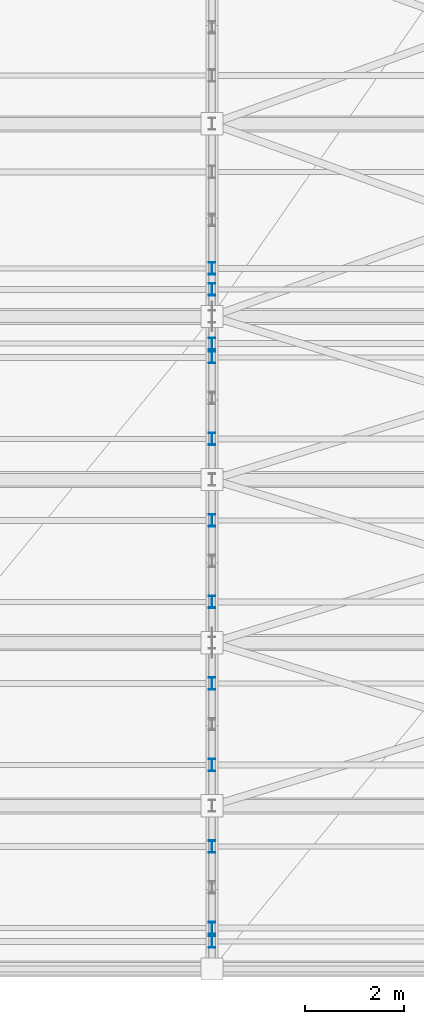
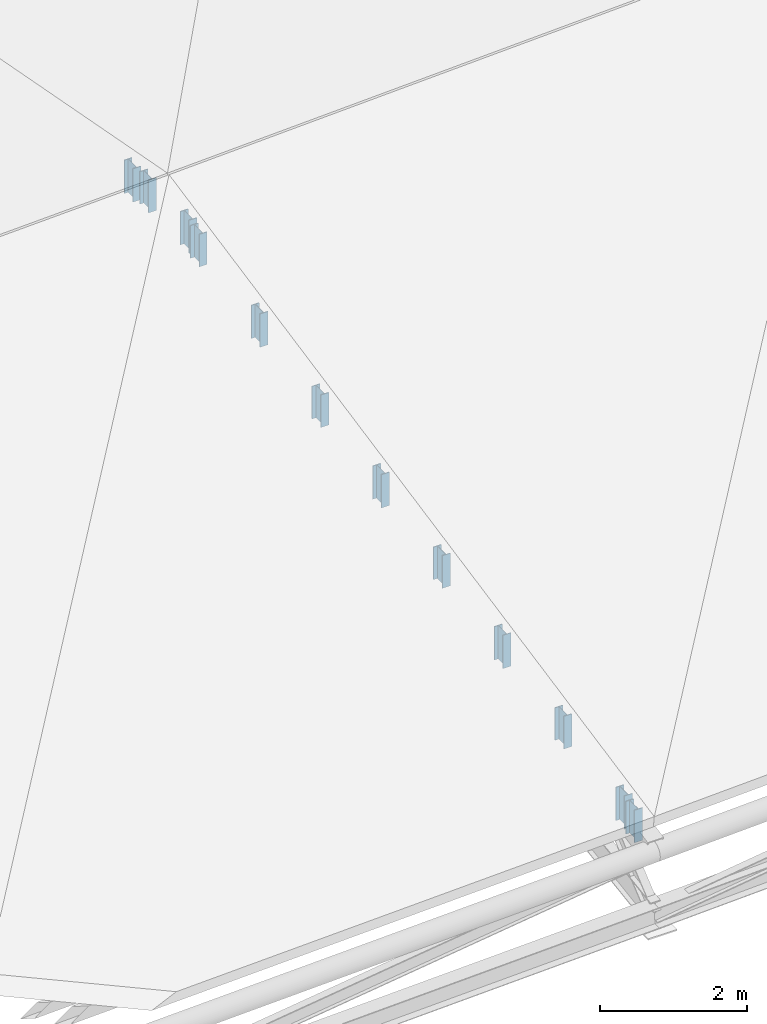
# One storey, part 49 of 89: 12 members.
"""IFC4 building model written with IfcOpenShell, lengths in metres."""

import ifcopenshell
import ifcopenshell.guid

model = None  # the IFC model being written
_history = None  # IfcOwnerHistory: only IFC2X3 demands one
_inside = {}  # id of a spatial element -> (the spatial element, [elements in it])
_under = {}  # id of a project, library or spatial element -> (it, [spatial elements below it])
_declared = {}  # id of a project -> (the project, [libraries it declares])
_typed = {}  # id of a type object -> (the type object, [elements of that type])
_made_of = {}  # id of a material, layer set ... -> (it, [elements and type objects made of it])


def new_model(schema):
    """Start an empty IFC model of exactly this schema.

    Asked for "IFC4X3", IfcOpenShell would pick the latest addendum, in which some entities
    have other attributes; the version numbers below select the first issue.
    IFC2X3 requires an IfcOwnerHistory on every rooted entity: one is made here for all.
    """
    global model, _history
    if schema == "IFC4X3":
        model = ifcopenshell.file(schema_version=(4, 3, 0, 0))
    else:
        model = ifcopenshell.file(schema=schema)
    _inside.clear()
    _under.clear()
    _declared.clear()
    _typed.clear()
    _made_of.clear()
    _history = None
    if model.schema == "IFC2X3":
        org = make("IfcOrganization", Name="unknown")
        user = make(
            "IfcPersonAndOrganization",
            ThePerson=make("IfcPerson", FamilyName="unknown"),
            TheOrganization=org,
        )
        app = make(
            "IfcApplication",
            ApplicationDeveloper=org,
            Version="unknown",
            ApplicationFullName="unknown",
            ApplicationIdentifier="unknown",
        )
        _history = make(
            "IfcOwnerHistory",
            OwningUser=user,
            OwningApplication=app,
            ChangeAction="ADDED",
            CreationDate=0,
        )
    return model


def make(cls, **values):
    """One entity of the class cls with the attributes given. An attribute that is None is left unset."""
    return model.create_entity(
        cls, **{name: value for name, value in values.items() if value is not None}
    )


def rooted(cls, **values):
    """An entity with a GlobalId (a new one), such as an element, a storey or a relation."""
    return make(cls, GlobalId=ifcopenshell.guid.new(), OwnerHistory=_history, **values)


def si_unit(unit_type, name, prefix=None):
    """IfcSIUnit, for example si_unit("LENGTHUNIT", "METRE", prefix="MILLI")."""
    return make("IfcSIUnit", UnitType=unit_type, Prefix=prefix, Name=name)


def assignment(units):
    """IfcUnitAssignment: the units of a project."""
    return None if units is None else make("IfcUnitAssignment", Units=units)


def point(xyz):
    """IfcCartesianPoint."""
    return None if xyz is None else make("IfcCartesianPoint", Coordinates=xyz)


def direction(xyz):
    """IfcDirection."""
    return None if xyz is None else make("IfcDirection", DirectionRatios=xyz)


def frame(location, z_axis=None, x_axis=None):
    """IfcAxis2Placement3D, a coordinate frame: its origin and axes. An axis left out is left unset."""
    return make(
        "IfcAxis2Placement3D",
        Location=point(location),
        Axis=direction(z_axis),
        RefDirection=direction(x_axis),
    )


def frame_2d(location, x_axis=None):
    """IfcAxis2Placement2D, a coordinate frame in the plane: its origin and x axis."""
    return make(
        "IfcAxis2Placement2D", Location=point(location), RefDirection=direction(x_axis)
    )


def origin():
    """The frame at (0, 0, 0) with its axes left unset."""
    return frame((0.0, 0.0, 0.0))


def origin_2d():
    """The frame at (0, 0) in the plane with its x axis left unset."""
    return frame_2d((0.0, 0.0))


def place(relative_to, where):
    """IfcLocalPlacement: puts the frame where relative to a parent placement (None: the world)."""
    return make(
        "IfcLocalPlacement", PlacementRelTo=relative_to, RelativePlacement=where
    )


def context(
    kind, dimensions, precision=None, world=None, true_north=None, identifier=None
):
    """IfcGeometricRepresentationContext, for example the 3D "Model" context."""
    return make(
        "IfcGeometricRepresentationContext",
        ContextIdentifier=identifier,
        ContextType=kind,
        CoordinateSpaceDimension=dimensions,
        Precision=precision,
        WorldCoordinateSystem=world,
        TrueNorth=true_north,
    )


def subcontext(parent, identifier, kind, view, scale=None):
    """IfcGeometricRepresentationSubContext, for example "Body" below "Model"."""
    return make(
        "IfcGeometricRepresentationSubContext",
        ContextIdentifier=identifier,
        ContextType=kind,
        ParentContext=parent,
        TargetScale=scale,
        TargetView=view,
    )


def project(units=None, contexts=None):
    """IfcProject with its units and contexts."""
    return rooted(
        "IfcProject",
        Name="project",
        RepresentationContexts=contexts,
        UnitsInContext=assignment(units),
    )


def spatial(cls, under=None, at=None, **own):
    """A site, building, storey or space (cls), placed at a placement, below another one or the project."""
    s = rooted(cls, ObjectPlacement=at, **own)
    if under is not None:
        _under.setdefault(under.id(), (under, []))[1].append(s)
    return s


def profile(cls, at=None, kind="AREA", **sizes):
    """A parametric profile (cls). Its sizes go by their IFC names, for example OverallWidth=200.0."""
    return make(cls, ProfileType=kind, Position=at, **sizes)


def i_section(**sizes):
    """IfcIShapeProfileDef."""
    return profile("IfcIShapeProfileDef", **sizes)


def extrude(swept, where, along, depth):
    """IfcExtrudedAreaSolid: the profile swept, set in the frame where, extruded along a direction by depth."""
    return make(
        "IfcExtrudedAreaSolid",
        SweptArea=swept,
        Position=where,
        ExtrudedDirection=direction(along),
        Depth=depth,
    )


def shape(context_of_items, identifier, shape_type, items):
    """IfcShapeRepresentation: the items that make up one representation, for example the "Body"."""
    return make(
        "IfcShapeRepresentation",
        ContextOfItems=context_of_items,
        RepresentationIdentifier=identifier,
        RepresentationType=shape_type,
        Items=items,
    )


def material(Name=None, Category=None):
    """IfcMaterial."""
    return make("IfcMaterial", Name=Name, Category=Category)


def material_profile(
    of_material, cross_section, Name=None, Category=None, Priority=None
):
    """IfcMaterialProfile: a cross section and its material."""
    return make(
        "IfcMaterialProfile",
        Name=Name,
        Material=of_material,
        Profile=cross_section,
        Priority=Priority,
        Category=Category,
    )


def profile_set(profiles, Name=None, composite=None):
    """IfcMaterialProfileSet."""
    return make(
        "IfcMaterialProfileSet",
        Name=Name,
        MaterialProfiles=profiles,
        CompositeProfile=composite,
    )


def made_of(thing, what):
    """Note that an element or type object is made of a material, layer set ...; save() writes the relation."""
    if what is not None:
        _made_of.setdefault(what.id(), (what, []))[1].append(thing)
    return thing


def type_object(cls, material=None, **own):
    """A type object (cls), such as IfcWallType, which elements share."""
    return made_of(rooted(cls, **own), material)


def element(
    cls,
    number,
    at=None,
    inside=None,
    cuts=None,
    type_object=None,
    material=None,
    context=None,
    identifier="Body",
    shape_type=None,
    held_by="IfcProductDefinitionShape",
    body=None,
    shapes=None,
    **own,
):
    """One element of the class cls, such as IfcWall. Its Tag is "e" and its number.

    at: its placement. inside: the storey or other place that contains it. cuts: it is an
    opening in that element (IfcRelVoidsElement). A single representation is given by context,
    identifier, shape_type and body (its items); several are given by shapes. held_by: the class
    of the entity that holds the representations. save() writes the other relations.
    """
    e = rooted(cls, Tag="e%d" % number, ObjectPlacement=at, **own)
    if body is not None:
        shapes = [shape(context, identifier, shape_type, body)]
    if shapes is not None:
        e.Representation = make(held_by, Representations=shapes)
    if inside is not None:
        _inside.setdefault(inside.id(), (inside, []))[1].append(e)
    if cuts is not None:
        rooted(
            "IfcRelVoidsElement", RelatingBuildingElement=cuts, RelatedOpeningElement=e
        )
    if type_object is not None:
        _typed.setdefault(type_object.id(), (type_object, []))[1].append(e)
    return made_of(e, material)


def aggregate(whole, parts):
    """IfcRelAggregates: a whole, such as a stair, and the parts it consists of."""
    return rooted("IfcRelAggregates", RelatingObject=whole, RelatedObjects=parts)


def save(model, path):
    """Write the relations noted so far, then the file.

    IfcRelAggregates (storeys below a building ...), IfcRelContainedInSpatialStructure (elements
    in a storey), IfcRelDefinesByType, IfcRelAssociatesMaterial and IfcRelDeclares: one each for
    every whole, place, type object, material and project.
    """
    for whole, parts in _under.values():
        aggregate(whole, parts)
    for where, things in _inside.values():
        rooted(
            "IfcRelContainedInSpatialStructure",
            RelatedElements=things,
            RelatingStructure=where,
        )
    for kind, things in _typed.values():
        rooted("IfcRelDefinesByType", RelatedObjects=things, RelatingType=kind)
    for what, things in _made_of.values():
        rooted("IfcRelAssociatesMaterial", RelatedObjects=things, RelatingMaterial=what)
    for by, libraries in _declared.values():
        rooted("IfcRelDeclares", RelatingContext=by, RelatedDefinitions=libraries)
    model.write(path)


model = new_model("IFC4")

# Units and contexts
model_context = context("Model", 3, precision=1e-05, world=origin(), true_north=direction((0.0, 1.0)))
body_context = subcontext(model_context, "Body", "Model", "MODEL_VIEW")
ifc_project = project(units=[si_unit("LENGTHUNIT", "METRE"), si_unit("AREAUNIT", "SQUARE_METRE"), si_unit("VOLUMEUNIT", "CUBIC_METRE"), si_unit("PLANEANGLEUNIT", "RADIAN"), si_unit("MASSUNIT", "GRAM", prefix="KILO")], contexts=[model_context])

# Site, building, storey
site_placement = place(None, origin())
site = spatial("IfcSite", under=ifc_project, at=site_placement, CompositionType="ELEMENT")
building_placement = place(site_placement, origin())
building = spatial("IfcBuilding", under=site, at=building_placement, Name="Suirenkawa Promenade Aquatics Centre", CompositionType="ELEMENT")
storey_placement = place(building_placement, frame((0.0, 0.0, 9.60009765625)))
storey = spatial("IfcBuildingStorey", under=building, at=storey_placement, Name="L02", CompositionType="ELEMENT", Elevation=9.60009765625)

# Members
ifc_material = material(Name="Steel IS 2062 E350 (Grade 350)", Category="steel")
ifc_material_profile = material_profile(ifc_material, i_section(OverallWidth=0.125, OverallDepth=0.25, WebThickness=0.007080078125, FlangeThickness=0.012939453125, at=origin_2d()), Name="ISMB 250", Category="steel")
ifc_profile_set = profile_set([ifc_material_profile], Name="Steel IS 2062 E350 (Grade 350)")
member_type = type_object("IfcMemberType", Name="MT-WEB-CHS168", PredefinedType="BRACE", material=ifc_profile_set)
member_1_placement = place(storey_placement, frame((122.39990234375, 0.550048828125, -1.22021484375), z_axis=(0.0, 0.0, 1.0), x_axis=(1.0, 0.0, 0.0)))
element("IfcMember", 1, at=member_1_placement, inside=storey, type_object=member_type, Name="ROOF TRUSS Purlin cleat post TD-03 MB-2746", PredefinedType="BRACE", context=body_context, shape_type="SweptSolid", body=[
    extrude(i_section(OverallWidth=0.125, OverallDepth=0.25, WebThickness=0.007080078125, FlangeThickness=0.012939453125, at=origin_2d()), origin(), (0.0, 0.0, 1.0), 0.5400390625),
])
member_2_placement = place(storey_placement, frame((122.39990234375, 0.824951171875, -1.1640625), z_axis=(0.0, 0.0, 1.0), x_axis=(1.0, 0.0, 0.0)))
element("IfcMember", 2, at=member_2_placement, inside=storey, type_object=member_type, Name="ROOF TRUSS Purlin cleat post TD-03 MB-2748", PredefinedType="BRACE", context=body_context, shape_type="SweptSolid", body=[
    extrude(i_section(OverallWidth=0.125, OverallDepth=0.25, WebThickness=0.007080078125, FlangeThickness=0.012939453125, at=origin_2d()), origin(), (0.0, 0.0, 1.0), 0.552001953125),
])
member_3_placement = place(storey_placement, frame((122.39990234375, 2.47509765625, -0.8330078125), z_axis=(0.0, 0.0, 1.0), x_axis=(1.0, 0.0, 0.0)))
element("IfcMember", 3, at=member_3_placement, inside=storey, type_object=member_type, Name="ROOF TRUSS Purlin cleat post TD-03 MB-2750", PredefinedType="BRACE", context=body_context, shape_type="SweptSolid", body=[
    extrude(i_section(OverallWidth=0.125, OverallDepth=0.25, WebThickness=0.007080078125, FlangeThickness=0.012939453125, at=origin_2d()), origin(), (0.0, 0.0, 1.0), 0.539794921875),
])
member_4_placement = place(storey_placement, frame((122.39990234375, 4.125, -0.502197265625), z_axis=(0.0, 0.0, 1.0), x_axis=(1.0, 0.0, 0.0)))
element("IfcMember", 4, at=member_4_placement, inside=storey, type_object=member_type, Name="ROOF TRUSS Purlin cleat post TD-03 MB-2752", PredefinedType="BRACE", context=body_context, shape_type="SweptSolid", body=[
    extrude(i_section(OverallWidth=0.125, OverallDepth=0.25, WebThickness=0.007080078125, FlangeThickness=0.012939453125, at=origin_2d()), origin(), (0.0, 0.0, 1.0), 0.552001953125),
])
member_5_placement = place(storey_placement, frame((122.39990234375, 5.77490234375, -0.171142578125), z_axis=(0.0, 0.0, 1.0), x_axis=(1.0, 0.0, 0.0)))
element("IfcMember", 5, at=member_5_placement, inside=storey, type_object=member_type, Name="ROOF TRUSS Purlin cleat post TD-03 MB-2754", PredefinedType="BRACE", context=body_context, shape_type="SweptSolid", body=[
    extrude(i_section(OverallWidth=0.125, OverallDepth=0.25, WebThickness=0.007080078125, FlangeThickness=0.012939453125, at=origin_2d()), origin(), (0.0, 0.0, 1.0), 0.5400390625),
])
member_6_placement = place(storey_placement, frame((122.39990234375, 7.425048828125, 0.160888671875), z_axis=(0.0, 0.0, 1.0), x_axis=(1.0, 0.0, 0.0)))
element("IfcMember", 6, at=member_6_placement, inside=storey, type_object=member_type, Name="ROOF TRUSS Purlin cleat post TD-03 MB-2756", PredefinedType="BRACE", context=body_context, shape_type="SweptSolid", body=[
    extrude(i_section(OverallWidth=0.125, OverallDepth=0.25, WebThickness=0.007080078125, FlangeThickness=0.012939453125, at=origin_2d()), origin(), (0.0, 0.0, 1.0), 0.552001953125),
])
member_7_placement = place(storey_placement, frame((122.39990234375, 9.074951171875, 0.491943359375), z_axis=(0.0, 0.0, 1.0), x_axis=(1.0, 0.0, 0.0)))
element("IfcMember", 7, at=member_7_placement, inside=storey, type_object=member_type, Name="ROOF TRUSS Purlin cleat post TD-03 MB-2758", PredefinedType="BRACE", context=body_context, shape_type="SweptSolid", body=[
    extrude(i_section(OverallWidth=0.125, OverallDepth=0.25, WebThickness=0.007080078125, FlangeThickness=0.012939453125, at=origin_2d()), origin(), (0.0, 0.0, 1.0), 0.5400390625),
])
member_8_placement = place(storey_placement, frame((122.39990234375, 10.72509765625, 0.822998046875), z_axis=(0.0, 0.0, 1.0), x_axis=(1.0, 0.0, 0.0)))
element("IfcMember", 8, at=member_8_placement, inside=storey, type_object=member_type, Name="ROOF TRUSS Purlin cleat post TD-03 MB-2760", PredefinedType="BRACE", context=body_context, shape_type="SweptSolid", body=[
    extrude(i_section(OverallWidth=0.125, OverallDepth=0.25, WebThickness=0.007080078125, FlangeThickness=0.012939453125, at=origin_2d()), origin(), (0.0, 0.0, 1.0), 0.552001953125),
])
member_9_placement = place(storey_placement, frame((122.39990234375, 12.375, 1.15380859375), z_axis=(0.0, 0.0, 1.0), x_axis=(1.0, 0.0, 0.0)))
element("IfcMember", 9, at=member_9_placement, inside=storey, type_object=member_type, Name="ROOF TRUSS Purlin cleat post TD-03 MB-2762", PredefinedType="BRACE", context=body_context, shape_type="SweptSolid", body=[
    extrude(i_section(OverallWidth=0.125, OverallDepth=0.25, WebThickness=0.007080078125, FlangeThickness=0.012939453125, at=origin_2d()), origin(), (0.0, 0.0, 1.0), 0.5400390625),
])
member_10_placement = place(storey_placement, frame((122.39990234375, 12.64990234375, 1.2099609375), z_axis=(0.0, 0.0, 1.0), x_axis=(1.0, 0.0, 0.0)))
element("IfcMember", 10, at=member_10_placement, inside=storey, type_object=member_type, Name="ROOF TRUSS Purlin cleat post TD-03 MB-2764", PredefinedType="BRACE", context=body_context, shape_type="SweptSolid", body=[
    extrude(i_section(OverallWidth=0.125, OverallDepth=0.25, WebThickness=0.007080078125, FlangeThickness=0.012939453125, at=origin_2d()), origin(), (0.0, 0.0, 1.0), 0.552001953125),
])
member_11_placement = place(storey_placement, frame((122.39990234375, 13.75, 1.2158203125), z_axis=(0.0, 0.0, 1.0), x_axis=(1.0, 0.0, 0.0)))
element("IfcMember", 11, at=member_11_placement, inside=storey, type_object=member_type, Name="ROOF TRUSS Purlin cleat post TD-03 MB-2766", PredefinedType="BRACE", context=body_context, shape_type="SweptSolid", body=[
    extrude(i_section(OverallWidth=0.125, OverallDepth=0.25, WebThickness=0.007080078125, FlangeThickness=0.012939453125, at=origin_2d()), origin(), (0.0, 0.0, 1.0), 0.541015625),
])
member_12_placement = place(storey_placement, frame((122.39990234375, 14.175048828125, 1.135986328125), z_axis=(0.0, 0.0, 1.0), x_axis=(1.0, 0.0, 0.0)))
element("IfcMember", 12, at=member_12_placement, inside=storey, type_object=member_type, Name="ROOF TRUSS Purlin cleat post TD-03 MB-2768", PredefinedType="BRACE", context=body_context, shape_type="SweptSolid", body=[
    extrude(i_section(OverallWidth=0.125, OverallDepth=0.25, WebThickness=0.007080078125, FlangeThickness=0.012939453125, at=origin_2d()), origin(), (0.0, 0.0, 1.0), 0.552978515625),
])

save(model, "model.ifc")
